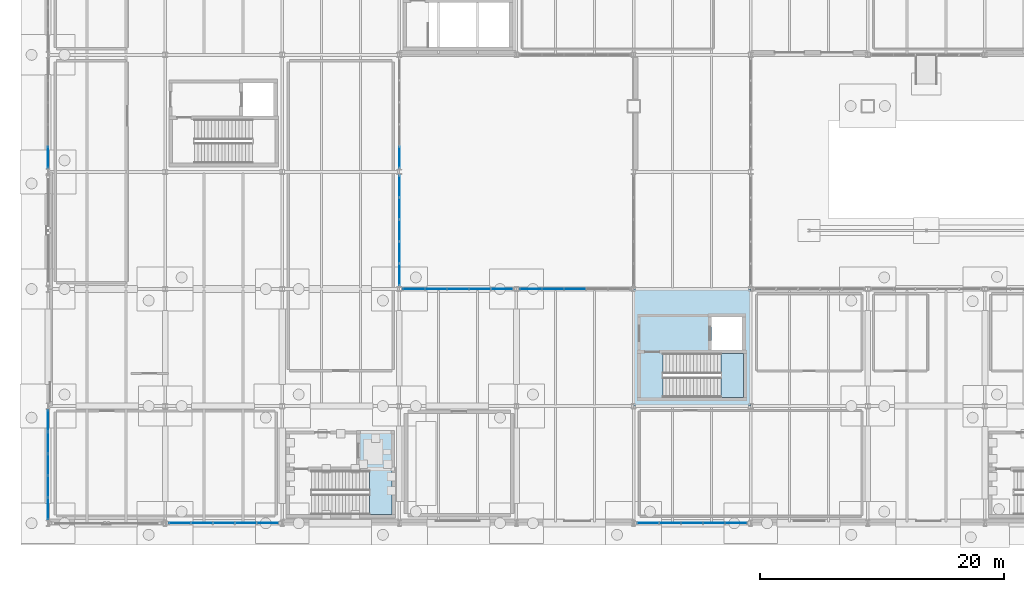
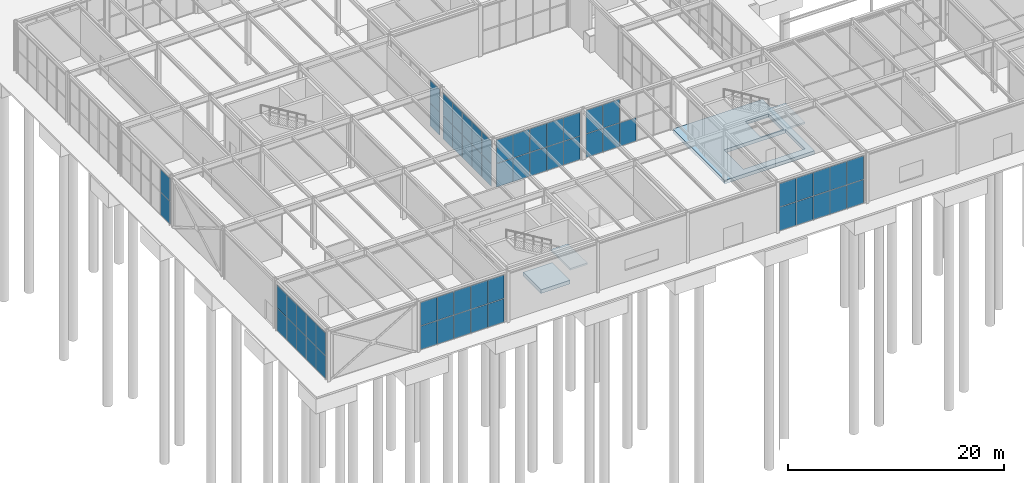
# One storey, part 104 of 142: 59 plates, 4 slabs, 10 elements without a shape of their own.
"""IFC4 building model written with IfcOpenShell, lengths in metres."""

from ifc_helpers import new_model, si_unit, direction, frame, origin, origin_2d, place, context, subcontext, project, spatial, polyline, rectangle, outline, extrude, material, layer, layer_set, type_object, element, aggregate, save


model = new_model("IFC4")

# Units and contexts
model_context = context("Model", 3, precision=1e-05, world=origin(), true_north=direction((0.0, 1.0)))
body_context = subcontext(model_context, "Body", "Model", "MODEL_VIEW")
ifc_project = project(units=[si_unit("LENGTHUNIT", "METRE"), si_unit("AREAUNIT", "SQUARE_METRE"), si_unit("VOLUMEUNIT", "CUBIC_METRE"), si_unit("PLANEANGLEUNIT", "RADIAN"), si_unit("MASSUNIT", "GRAM", prefix="KILO")], contexts=[model_context])

# Site, building, storey
site_placement = place(None, origin())
site = spatial("IfcSite", under=ifc_project, at=site_placement, CompositionType="ELEMENT")
building_placement = place(site_placement, origin())
building = spatial("IfcBuilding", under=site, at=building_placement, Name="Coralgate Yard Interchange", CompositionType="ELEMENT")
storey_placement = place(building_placement, origin())
storey = spatial("IfcBuildingStorey", under=building, at=storey_placement, Name="L00", CompositionType="ELEMENT", Elevation=0.0)

# Curtain wall, plates
ifc_material_1 = material(Name="Anodised coastal aluminium and solar-control low-E glass", Category="aluminium")
curtain_wall_type_1 = type_object("IfcCurtainWallType", Name="CW-CW-L00-B", PredefinedType="NOTDEFINED", material=ifc_material_1)
curtain_wall_1_placement = place(storey_placement, origin())
curtain_wall_1 = element("IfcCurtainWall", 1, at=curtain_wall_1_placement, inside=storey, type_object=curtain_wall_type_1, Name="L00 unitised curtain wall CW-L00-W-00-00", PredefinedType="NOTDEFINED")
ifc_material_2 = material(Name="Solar-control double-glazed low-E glass unit", Category="glass")
ifc_layer_1 = layer(ifc_material_2, 0.0419921875)
ifc_layer_set_1 = layer_set([ifc_layer_1], Name="Solar-control double-glazed low-E glass unit")
plate_type = type_object("IfcPlateType", Name="PLT-CP-42", PredefinedType="CURTAIN_PANEL", material=ifc_layer_set_1)
plate_1_placement = place(storey_placement, frame((0.0, 1.199951171875, 0.02490234375), z_axis=(0.0, 0.0, 1.0), x_axis=(0.0, 1.0, 0.0)))
plate_1 = element("IfcPlate", 2, at=plate_1_placement, type_object=plate_type, Name="CW-L00-W-00-00 solar-control glazing panel 1-1", PredefinedType="CURTAIN_PANEL", context=body_context, shape_type="SweptSolid", body=[
    extrude(rectangle(XDim=1.75, YDim=0.0419921875, at=origin_2d()), origin(), (0.0, 0.0, 1.0), 2.558349609375),
])
plate_2_placement = place(storey_placement, frame((0.0, 1.199951171875, 2.63330078125), z_axis=(0.0, 0.0, 1.0), x_axis=(0.0, 1.0, 0.0)))
plate_2 = element("IfcPlate", 3, at=plate_2_placement, type_object=plate_type, Name="CW-L00-W-00-00 solar-control glazing panel 1-2", PredefinedType="CURTAIN_PANEL", context=body_context, shape_type="SweptSolid", body=[
    extrude(rectangle(XDim=1.75, YDim=0.0419921875, at=origin_2d()), origin(), (0.0, 0.0, 1.0), 2.558349609375),
])
plate_3_placement = place(storey_placement, frame((0.0, 3.0, 0.02490234375), z_axis=(0.0, 0.0, 1.0), x_axis=(0.0, 1.0, 0.0)))
plate_3 = element("IfcPlate", 4, at=plate_3_placement, type_object=plate_type, Name="CW-L00-W-00-00 solar-control glazing panel 2-1", PredefinedType="CURTAIN_PANEL", context=body_context, shape_type="SweptSolid", body=[
    extrude(rectangle(XDim=1.75, YDim=0.0419921875, at=origin_2d()), origin(), (0.0, 0.0, 1.0), 2.558349609375),
])
plate_4_placement = place(storey_placement, frame((0.0, 3.0, 2.63330078125), z_axis=(0.0, 0.0, 1.0), x_axis=(0.0, 1.0, 0.0)))
plate_4 = element("IfcPlate", 5, at=plate_4_placement, type_object=plate_type, Name="CW-L00-W-00-00 solar-control glazing panel 2-2", PredefinedType="CURTAIN_PANEL", context=body_context, shape_type="SweptSolid", body=[
    extrude(rectangle(XDim=1.75, YDim=0.0419921875, at=origin_2d()), origin(), (0.0, 0.0, 1.0), 2.558349609375),
])
plate_5_placement = place(storey_placement, frame((0.0, 4.800048828125, 0.02490234375), z_axis=(0.0, 0.0, 1.0), x_axis=(0.0, 1.0, 0.0)))
plate_5 = element("IfcPlate", 6, at=plate_5_placement, type_object=plate_type, Name="CW-L00-W-00-00 solar-control glazing panel 3-1", PredefinedType="CURTAIN_PANEL", context=body_context, shape_type="SweptSolid", body=[
    extrude(rectangle(XDim=1.75, YDim=0.0419921875, at=origin_2d()), origin(), (0.0, 0.0, 1.0), 2.558349609375),
])
plate_6_placement = place(storey_placement, frame((0.0, 4.800048828125, 2.63330078125), z_axis=(0.0, 0.0, 1.0), x_axis=(0.0, 1.0, 0.0)))
plate_6 = element("IfcPlate", 7, at=plate_6_placement, type_object=plate_type, Name="CW-L00-W-00-00 solar-control glazing panel 3-2", PredefinedType="CURTAIN_PANEL", context=body_context, shape_type="SweptSolid", body=[
    extrude(rectangle(XDim=1.75, YDim=0.0419921875, at=origin_2d()), origin(), (0.0, 0.0, 1.0), 2.558349609375),
])
plate_7_placement = place(storey_placement, frame((0.0, 6.60009765625, 0.02490234375), z_axis=(0.0, 0.0, 1.0), x_axis=(0.0, 1.0, 0.0)))
plate_7 = element("IfcPlate", 8, at=plate_7_placement, type_object=plate_type, Name="CW-L00-W-00-00 solar-control glazing panel 4-1", PredefinedType="CURTAIN_PANEL", context=body_context, shape_type="SweptSolid", body=[
    extrude(rectangle(XDim=1.75, YDim=0.0419921875, at=origin_2d()), origin(), (0.0, 0.0, 1.0), 2.558349609375),
])
plate_8_placement = place(storey_placement, frame((0.0, 6.60009765625, 2.63330078125), z_axis=(0.0, 0.0, 1.0), x_axis=(0.0, 1.0, 0.0)))
plate_8 = element("IfcPlate", 9, at=plate_8_placement, type_object=plate_type, Name="CW-L00-W-00-00 solar-control glazing panel 4-2", PredefinedType="CURTAIN_PANEL", context=body_context, shape_type="SweptSolid", body=[
    extrude(rectangle(XDim=1.75, YDim=0.0419921875, at=origin_2d()), origin(), (0.0, 0.0, 1.0), 2.558349609375),
])
plate_9_placement = place(storey_placement, frame((0.0, 8.39990234375, 0.02490234375), z_axis=(0.0, 0.0, 1.0), x_axis=(0.0, 1.0, 0.0)))
plate_9 = element("IfcPlate", 10, at=plate_9_placement, type_object=plate_type, Name="CW-L00-W-00-00 solar-control glazing panel 5-1", PredefinedType="CURTAIN_PANEL", context=body_context, shape_type="SweptSolid", body=[
    extrude(rectangle(XDim=1.75, YDim=0.0419921875, at=origin_2d()), origin(), (0.0, 0.0, 1.0), 2.558349609375),
])
plate_10_placement = place(storey_placement, frame((0.0, 8.39990234375, 2.63330078125), z_axis=(0.0, 0.0, 1.0), x_axis=(0.0, 1.0, 0.0)))
plate_10 = element("IfcPlate", 11, at=plate_10_placement, type_object=plate_type, Name="CW-L00-W-00-00 solar-control glazing panel 5-2", PredefinedType="CURTAIN_PANEL", context=body_context, shape_type="SweptSolid", body=[
    extrude(rectangle(XDim=1.75, YDim=0.0419921875, at=origin_2d()), origin(), (0.0, 0.0, 1.0), 2.558349609375),
])
aggregate(curtain_wall_1, [plate_1, plate_2, plate_3, plate_4, plate_5, plate_6, plate_7, plate_8, plate_9, plate_10])

curtain_wall_type_2 = type_object("IfcCurtainWallType", Name="CW-CW-L00-A", PredefinedType="NOTDEFINED", material=ifc_material_1)
curtain_wall_2_placement = place(storey_placement, origin())
curtain_wall_2 = element("IfcCurtainWall", 12, at=curtain_wall_2_placement, inside=storey, type_object=curtain_wall_type_2, Name="L00 unitised curtain wall CW-L00-W-00-03", PredefinedType="NOTDEFINED")
plate_11_placement = place(storey_placement, frame((0.0, 30.0, 0.02490234375), z_axis=(0.0, 0.0, 1.0), x_axis=(0.0, 1.0, 0.0)))
plate_11 = element("IfcPlate", 13, at=plate_11_placement, type_object=plate_type, Name="CW-L00-W-00-03 solar-control glazing panel 1-1", PredefinedType="CURTAIN_PANEL", context=body_context, shape_type="SweptSolid", body=[
    extrude(rectangle(XDim=1.75, YDim=0.0419921875, at=origin_2d()), origin(), (0.0, 0.0, 1.0), 2.558349609375),
])
plate_12_placement = place(storey_placement, frame((0.0, 30.0, 2.63330078125), z_axis=(0.0, 0.0, 1.0), x_axis=(0.0, 1.0, 0.0)))
plate_12 = element("IfcPlate", 14, at=plate_12_placement, type_object=plate_type, Name="CW-L00-W-00-03 solar-control glazing panel 1-2", PredefinedType="CURTAIN_PANEL", context=body_context, shape_type="SweptSolid", body=[
    extrude(rectangle(XDim=1.75, YDim=0.0419921875, at=origin_2d()), origin(), (0.0, 0.0, 1.0), 2.558349609375),
])
aggregate(curtain_wall_2, [plate_11, plate_12])

curtain_wall_3_placement = place(storey_placement, origin())
curtain_wall_3 = element("IfcCurtainWall", 15, at=curtain_wall_3_placement, inside=storey, type_object=curtain_wall_type_2, Name="L00 unitised curtain wall CW-L00-S-01-00", PredefinedType="NOTDEFINED")
plate_13_placement = place(storey_placement, frame((18.0, 0.0, 0.025146484375), z_axis=(0.0, 0.0, 1.0), x_axis=(-1.0, 0.0, 0.0)))
plate_13 = element("IfcPlate", 16, at=plate_13_placement, type_object=plate_type, Name="CW-L00-S-01-00 solar-control glazing panel 1-1", PredefinedType="CURTAIN_PANEL", context=body_context, shape_type="SweptSolid", body=[
    extrude(rectangle(XDim=1.75, YDim=0.0419921875, at=origin_2d()), origin(), (0.0, 0.0, 1.0), 2.64990234375),
])
plate_14_placement = place(storey_placement, frame((18.0, 0.0, 2.72509765625), z_axis=(0.0, 0.0, 1.0), x_axis=(-1.0, 0.0, 0.0)))
plate_14 = element("IfcPlate", 17, at=plate_14_placement, type_object=plate_type, Name="CW-L00-S-01-00 solar-control glazing panel 1-2", PredefinedType="CURTAIN_PANEL", context=body_context, shape_type="SweptSolid", body=[
    extrude(rectangle(XDim=1.75, YDim=0.0419921875, at=origin_2d()), origin(), (0.0, 0.0, 1.0), 2.64990234375),
])
plate_15_placement = place(storey_placement, frame((16.199951171875, 0.0, 0.025146484375), z_axis=(0.0, 0.0, 1.0), x_axis=(-1.0, 0.0, 0.0)))
plate_15 = element("IfcPlate", 18, at=plate_15_placement, type_object=plate_type, Name="CW-L00-S-01-00 solar-control glazing panel 2-1", PredefinedType="CURTAIN_PANEL", context=body_context, shape_type="SweptSolid", body=[
    extrude(rectangle(XDim=1.75, YDim=0.0419921875, at=origin_2d()), origin(), (0.0, 0.0, 1.0), 2.64990234375),
])
plate_16_placement = place(storey_placement, frame((16.199951171875, 0.0, 2.72509765625), z_axis=(0.0, 0.0, 1.0), x_axis=(-1.0, 0.0, 0.0)))
plate_16 = element("IfcPlate", 19, at=plate_16_placement, type_object=plate_type, Name="CW-L00-S-01-00 solar-control glazing panel 2-2", PredefinedType="CURTAIN_PANEL", context=body_context, shape_type="SweptSolid", body=[
    extrude(rectangle(XDim=1.75, YDim=0.0419921875, at=origin_2d()), origin(), (0.0, 0.0, 1.0), 2.64990234375),
])
plate_17_placement = place(storey_placement, frame((14.39990234375, 0.0, 0.025146484375), z_axis=(0.0, 0.0, 1.0), x_axis=(-1.0, 0.0, 0.0)))
plate_17 = element("IfcPlate", 20, at=plate_17_placement, type_object=plate_type, Name="CW-L00-S-01-00 solar-control glazing panel 3-1", PredefinedType="CURTAIN_PANEL", context=body_context, shape_type="SweptSolid", body=[
    extrude(rectangle(XDim=1.75, YDim=0.0419921875, at=origin_2d()), origin(), (0.0, 0.0, 1.0), 2.64990234375),
])
plate_18_placement = place(storey_placement, frame((14.39990234375, 0.0, 2.72509765625), z_axis=(0.0, 0.0, 1.0), x_axis=(-1.0, 0.0, 0.0)))
plate_18 = element("IfcPlate", 21, at=plate_18_placement, type_object=plate_type, Name="CW-L00-S-01-00 solar-control glazing panel 3-2", PredefinedType="CURTAIN_PANEL", context=body_context, shape_type="SweptSolid", body=[
    extrude(rectangle(XDim=1.75, YDim=0.0419921875, at=origin_2d()), origin(), (0.0, 0.0, 1.0), 2.64990234375),
])
plate_19_placement = place(storey_placement, frame((12.60009765625, 0.0, 0.025146484375), z_axis=(0.0, 0.0, 1.0), x_axis=(-1.0, 0.0, 0.0)))
plate_19 = element("IfcPlate", 22, at=plate_19_placement, type_object=plate_type, Name="CW-L00-S-01-00 solar-control glazing panel 4-1", PredefinedType="CURTAIN_PANEL", context=body_context, shape_type="SweptSolid", body=[
    extrude(rectangle(XDim=1.75, YDim=0.0419921875, at=origin_2d()), origin(), (0.0, 0.0, 1.0), 2.64990234375),
])
plate_20_placement = place(storey_placement, frame((12.60009765625, 0.0, 2.72509765625), z_axis=(0.0, 0.0, 1.0), x_axis=(-1.0, 0.0, 0.0)))
plate_20 = element("IfcPlate", 23, at=plate_20_placement, type_object=plate_type, Name="CW-L00-S-01-00 solar-control glazing panel 4-2", PredefinedType="CURTAIN_PANEL", context=body_context, shape_type="SweptSolid", body=[
    extrude(rectangle(XDim=1.75, YDim=0.0419921875, at=origin_2d()), origin(), (0.0, 0.0, 1.0), 2.64990234375),
])
plate_21_placement = place(storey_placement, frame((10.800048828125, 0.0, 0.025146484375), z_axis=(0.0, 0.0, 1.0), x_axis=(-1.0, 0.0, 0.0)))
plate_21 = element("IfcPlate", 24, at=plate_21_placement, type_object=plate_type, Name="CW-L00-S-01-00 solar-control glazing panel 5-1", PredefinedType="CURTAIN_PANEL", context=body_context, shape_type="SweptSolid", body=[
    extrude(rectangle(XDim=1.75, YDim=0.0419921875, at=origin_2d()), origin(), (0.0, 0.0, 1.0), 2.64990234375),
])
plate_22_placement = place(storey_placement, frame((10.800048828125, 0.0, 2.72509765625), z_axis=(0.0, 0.0, 1.0), x_axis=(-1.0, 0.0, 0.0)))
plate_22 = element("IfcPlate", 25, at=plate_22_placement, type_object=plate_type, Name="CW-L00-S-01-00 solar-control glazing panel 5-2", PredefinedType="CURTAIN_PANEL", context=body_context, shape_type="SweptSolid", body=[
    extrude(rectangle(XDim=1.75, YDim=0.0419921875, at=origin_2d()), origin(), (0.0, 0.0, 1.0), 2.64990234375),
])
aggregate(curtain_wall_3, [plate_13, plate_14, plate_15, plate_16, plate_17, plate_18, plate_19, plate_20, plate_21, plate_22])

curtain_wall_4_placement = place(storey_placement, origin())
curtain_wall_4 = element("IfcCurtainWall", 26, at=curtain_wall_4_placement, inside=storey, type_object=curtain_wall_type_1, Name="L00 unitised curtain wall CW-L00-E-02-02", PredefinedType="NOTDEFINED")
plate_23_placement = place(storey_placement, frame((28.800048828125, 27.60009765625, 0.02490234375), z_axis=(0.0, 0.0, 1.0), x_axis=(0.0, -1.0, 0.0)))
plate_23 = element("IfcPlate", 27, at=plate_23_placement, type_object=plate_type, Name="CW-L00-E-02-02 solar-control glazing panel 1-1", PredefinedType="CURTAIN_PANEL", context=body_context, shape_type="SweptSolid", body=[
    extrude(rectangle(XDim=1.75, YDim=0.0419921875, at=origin_2d()), origin(), (0.0, 0.0, 1.0), 2.558349609375),
])
plate_24_placement = place(storey_placement, frame((28.800048828125, 27.60009765625, 2.63330078125), z_axis=(0.0, 0.0, 1.0), x_axis=(0.0, -1.0, 0.0)))
plate_24 = element("IfcPlate", 28, at=plate_24_placement, type_object=plate_type, Name="CW-L00-E-02-02 solar-control glazing panel 1-2", PredefinedType="CURTAIN_PANEL", context=body_context, shape_type="SweptSolid", body=[
    extrude(rectangle(XDim=1.75, YDim=0.0419921875, at=origin_2d()), origin(), (0.0, 0.0, 1.0), 2.558349609375),
])
plate_25_placement = place(storey_placement, frame((28.800048828125, 25.800048828125, 0.02490234375), z_axis=(0.0, 0.0, 1.0), x_axis=(0.0, -1.0, 0.0)))
plate_25 = element("IfcPlate", 29, at=plate_25_placement, type_object=plate_type, Name="CW-L00-E-02-02 solar-control glazing panel 2-1", PredefinedType="CURTAIN_PANEL", context=body_context, shape_type="SweptSolid", body=[
    extrude(rectangle(XDim=1.75, YDim=0.0419921875, at=origin_2d()), origin(), (0.0, 0.0, 1.0), 2.558349609375),
])
plate_26_placement = place(storey_placement, frame((28.800048828125, 25.800048828125, 2.63330078125), z_axis=(0.0, 0.0, 1.0), x_axis=(0.0, -1.0, 0.0)))
plate_26 = element("IfcPlate", 30, at=plate_26_placement, type_object=plate_type, Name="CW-L00-E-02-02 solar-control glazing panel 2-2", PredefinedType="CURTAIN_PANEL", context=body_context, shape_type="SweptSolid", body=[
    extrude(rectangle(XDim=1.75, YDim=0.0419921875, at=origin_2d()), origin(), (0.0, 0.0, 1.0), 2.558349609375),
])
plate_27_placement = place(storey_placement, frame((28.800048828125, 24.0, 0.02490234375), z_axis=(0.0, 0.0, 1.0), x_axis=(0.0, -1.0, 0.0)))
plate_27 = element("IfcPlate", 31, at=plate_27_placement, type_object=plate_type, Name="CW-L00-E-02-02 solar-control glazing panel 3-1", PredefinedType="CURTAIN_PANEL", context=body_context, shape_type="SweptSolid", body=[
    extrude(rectangle(XDim=1.75, YDim=0.0419921875, at=origin_2d()), origin(), (0.0, 0.0, 1.0), 2.558349609375),
])
plate_28_placement = place(storey_placement, frame((28.800048828125, 24.0, 2.63330078125), z_axis=(0.0, 0.0, 1.0), x_axis=(0.0, -1.0, 0.0)))
plate_28 = element("IfcPlate", 32, at=plate_28_placement, type_object=plate_type, Name="CW-L00-E-02-02 solar-control glazing panel 3-2", PredefinedType="CURTAIN_PANEL", context=body_context, shape_type="SweptSolid", body=[
    extrude(rectangle(XDim=1.75, YDim=0.0419921875, at=origin_2d()), origin(), (0.0, 0.0, 1.0), 2.558349609375),
])
plate_29_placement = place(storey_placement, frame((28.800048828125, 22.199951171875, 0.02490234375), z_axis=(0.0, 0.0, 1.0), x_axis=(0.0, -1.0, 0.0)))
plate_29 = element("IfcPlate", 33, at=plate_29_placement, type_object=plate_type, Name="CW-L00-E-02-02 solar-control glazing panel 4-1", PredefinedType="CURTAIN_PANEL", context=body_context, shape_type="SweptSolid", body=[
    extrude(rectangle(XDim=1.75, YDim=0.0419921875, at=origin_2d()), origin(), (0.0, 0.0, 1.0), 2.558349609375),
])
plate_30_placement = place(storey_placement, frame((28.800048828125, 22.199951171875, 2.63330078125), z_axis=(0.0, 0.0, 1.0), x_axis=(0.0, -1.0, 0.0)))
plate_30 = element("IfcPlate", 34, at=plate_30_placement, type_object=plate_type, Name="CW-L00-E-02-02 solar-control glazing panel 4-2", PredefinedType="CURTAIN_PANEL", context=body_context, shape_type="SweptSolid", body=[
    extrude(rectangle(XDim=1.75, YDim=0.0419921875, at=origin_2d()), origin(), (0.0, 0.0, 1.0), 2.558349609375),
])
plate_31_placement = place(storey_placement, frame((28.800048828125, 20.39990234375, 0.02490234375), z_axis=(0.0, 0.0, 1.0), x_axis=(0.0, -1.0, 0.0)))
plate_31 = element("IfcPlate", 35, at=plate_31_placement, type_object=plate_type, Name="CW-L00-E-02-02 solar-control glazing panel 5-1", PredefinedType="CURTAIN_PANEL", context=body_context, shape_type="SweptSolid", body=[
    extrude(rectangle(XDim=1.75, YDim=0.0419921875, at=origin_2d()), origin(), (0.0, 0.0, 1.0), 2.558349609375),
])
plate_32_placement = place(storey_placement, frame((28.800048828125, 20.39990234375, 2.63330078125), z_axis=(0.0, 0.0, 1.0), x_axis=(0.0, -1.0, 0.0)))
plate_32 = element("IfcPlate", 36, at=plate_32_placement, type_object=plate_type, Name="CW-L00-E-02-02 solar-control glazing panel 5-2", PredefinedType="CURTAIN_PANEL", context=body_context, shape_type="SweptSolid", body=[
    extrude(rectangle(XDim=1.75, YDim=0.0419921875, at=origin_2d()), origin(), (0.0, 0.0, 1.0), 2.558349609375),
])
aggregate(curtain_wall_4, [plate_23, plate_24, plate_25, plate_26, plate_27, plate_28, plate_29, plate_30, plate_31, plate_32])

curtain_wall_5_placement = place(storey_placement, origin())
curtain_wall_5 = element("IfcCurtainWall", 37, at=curtain_wall_5_placement, inside=storey, type_object=curtain_wall_type_2, Name="L00 unitised curtain wall CW-L00-E-02-03", PredefinedType="NOTDEFINED")
plate_33_placement = place(storey_placement, frame((28.800048828125, 30.0, 0.02490234375), z_axis=(0.0, 0.0, 1.0), x_axis=(0.0, -1.0, 0.0)))
plate_33 = element("IfcPlate", 38, at=plate_33_placement, type_object=plate_type, Name="CW-L00-E-02-03 solar-control glazing panel 5-1", PredefinedType="CURTAIN_PANEL", context=body_context, shape_type="SweptSolid", body=[
    extrude(rectangle(XDim=1.75, YDim=0.0419921875, at=origin_2d()), origin(), (0.0, 0.0, 1.0), 2.558349609375),
])
plate_34_placement = place(storey_placement, frame((28.800048828125, 30.0, 2.63330078125), z_axis=(0.0, 0.0, 1.0), x_axis=(0.0, -1.0, 0.0)))
plate_34 = element("IfcPlate", 39, at=plate_34_placement, type_object=plate_type, Name="CW-L00-E-02-03 solar-control glazing panel 5-2", PredefinedType="CURTAIN_PANEL", context=body_context, shape_type="SweptSolid", body=[
    extrude(rectangle(XDim=1.75, YDim=0.0419921875, at=origin_2d()), origin(), (0.0, 0.0, 1.0), 2.558349609375),
])
aggregate(curtain_wall_5, [plate_33, plate_34])

curtain_wall_6_placement = place(storey_placement, origin())
curtain_wall_6 = element("IfcCurtainWall", 40, at=curtain_wall_6_placement, inside=storey, type_object=curtain_wall_type_1, Name="L00 unitised curtain wall CW-L00-N-03-01", PredefinedType="NOTDEFINED")
plate_35_placement = place(storey_placement, frame((30.0, 19.199951171875, 0.025146484375), z_axis=(0.0, 0.0, 1.0), x_axis=(1.0, 0.0, 0.0)))
plate_35 = element("IfcPlate", 41, at=plate_35_placement, type_object=plate_type, Name="CW-L00-N-03-01 solar-control glazing panel 1-1", PredefinedType="CURTAIN_PANEL", context=body_context, shape_type="SweptSolid", body=[
    extrude(rectangle(XDim=1.75, YDim=0.0419921875, at=origin_2d()), origin(), (0.0, 0.0, 1.0), 2.64990234375),
])
plate_36_placement = place(storey_placement, frame((30.0, 19.199951171875, 2.72509765625), z_axis=(0.0, 0.0, 1.0), x_axis=(1.0, 0.0, 0.0)))
plate_36 = element("IfcPlate", 42, at=plate_36_placement, type_object=plate_type, Name="CW-L00-N-03-01 solar-control glazing panel 1-2", PredefinedType="CURTAIN_PANEL", context=body_context, shape_type="SweptSolid", body=[
    extrude(rectangle(XDim=1.75, YDim=0.0419921875, at=origin_2d()), origin(), (0.0, 0.0, 1.0), 2.64990234375),
])
plate_37_placement = place(storey_placement, frame((31.800048828125, 19.199951171875, 0.025146484375), z_axis=(0.0, 0.0, 1.0), x_axis=(1.0, 0.0, 0.0)))
plate_37 = element("IfcPlate", 43, at=plate_37_placement, type_object=plate_type, Name="CW-L00-N-03-01 solar-control glazing panel 2-1", PredefinedType="CURTAIN_PANEL", context=body_context, shape_type="SweptSolid", body=[
    extrude(rectangle(XDim=1.75, YDim=0.0419921875, at=origin_2d()), origin(), (0.0, 0.0, 1.0), 2.64990234375),
])
plate_38_placement = place(storey_placement, frame((31.800048828125, 19.199951171875, 2.72509765625), z_axis=(0.0, 0.0, 1.0), x_axis=(1.0, 0.0, 0.0)))
plate_38 = element("IfcPlate", 44, at=plate_38_placement, type_object=plate_type, Name="CW-L00-N-03-01 solar-control glazing panel 2-2", PredefinedType="CURTAIN_PANEL", context=body_context, shape_type="SweptSolid", body=[
    extrude(rectangle(XDim=1.75, YDim=0.0419921875, at=origin_2d()), origin(), (0.0, 0.0, 1.0), 2.64990234375),
])
plate_39_placement = place(storey_placement, frame((33.60009765625, 19.199951171875, 0.025146484375), z_axis=(0.0, 0.0, 1.0), x_axis=(1.0, 0.0, 0.0)))
plate_39 = element("IfcPlate", 45, at=plate_39_placement, type_object=plate_type, Name="CW-L00-N-03-01 solar-control glazing panel 3-1", PredefinedType="CURTAIN_PANEL", context=body_context, shape_type="SweptSolid", body=[
    extrude(rectangle(XDim=1.75, YDim=0.0419921875, at=origin_2d()), origin(), (0.0, 0.0, 1.0), 2.64990234375),
])
plate_40_placement = place(storey_placement, frame((33.60009765625, 19.199951171875, 2.72509765625), z_axis=(0.0, 0.0, 1.0), x_axis=(1.0, 0.0, 0.0)))
plate_40 = element("IfcPlate", 46, at=plate_40_placement, type_object=plate_type, Name="CW-L00-N-03-01 solar-control glazing panel 3-2", PredefinedType="CURTAIN_PANEL", context=body_context, shape_type="SweptSolid", body=[
    extrude(rectangle(XDim=1.75, YDim=0.0419921875, at=origin_2d()), origin(), (0.0, 0.0, 1.0), 2.64990234375),
])
plate_41_placement = place(storey_placement, frame((35.39990234375, 19.199951171875, 0.025146484375), z_axis=(0.0, 0.0, 1.0), x_axis=(1.0, 0.0, 0.0)))
plate_41 = element("IfcPlate", 47, at=plate_41_placement, type_object=plate_type, Name="CW-L00-N-03-01 solar-control glazing panel 4-1", PredefinedType="CURTAIN_PANEL", context=body_context, shape_type="SweptSolid", body=[
    extrude(rectangle(XDim=1.75, YDim=0.0419921875, at=origin_2d()), origin(), (0.0, 0.0, 1.0), 2.64990234375),
])
plate_42_placement = place(storey_placement, frame((35.39990234375, 19.199951171875, 2.72509765625), z_axis=(0.0, 0.0, 1.0), x_axis=(1.0, 0.0, 0.0)))
plate_42 = element("IfcPlate", 48, at=plate_42_placement, type_object=plate_type, Name="CW-L00-N-03-01 solar-control glazing panel 4-2", PredefinedType="CURTAIN_PANEL", context=body_context, shape_type="SweptSolid", body=[
    extrude(rectangle(XDim=1.75, YDim=0.0419921875, at=origin_2d()), origin(), (0.0, 0.0, 1.0), 2.64990234375),
])
plate_43_placement = place(storey_placement, frame((37.199951171875, 19.199951171875, 0.025146484375), z_axis=(0.0, 0.0, 1.0), x_axis=(1.0, 0.0, 0.0)))
plate_43 = element("IfcPlate", 49, at=plate_43_placement, type_object=plate_type, Name="CW-L00-N-03-01 solar-control glazing panel 5-1", PredefinedType="CURTAIN_PANEL", context=body_context, shape_type="SweptSolid", body=[
    extrude(rectangle(XDim=1.75, YDim=0.0419921875, at=origin_2d()), origin(), (0.0, 0.0, 1.0), 2.64990234375),
])
plate_44_placement = place(storey_placement, frame((37.199951171875, 19.199951171875, 2.72509765625), z_axis=(0.0, 0.0, 1.0), x_axis=(1.0, 0.0, 0.0)))
plate_44 = element("IfcPlate", 50, at=plate_44_placement, type_object=plate_type, Name="CW-L00-N-03-01 solar-control glazing panel 5-2", PredefinedType="CURTAIN_PANEL", context=body_context, shape_type="SweptSolid", body=[
    extrude(rectangle(XDim=1.75, YDim=0.0419921875, at=origin_2d()), origin(), (0.0, 0.0, 1.0), 2.64990234375),
])
aggregate(curtain_wall_6, [plate_35, plate_36, plate_37, plate_38, plate_39, plate_40, plate_41, plate_42, plate_43, plate_44])

curtain_wall_7_placement = place(storey_placement, origin())
curtain_wall_7 = element("IfcCurtainWall", 51, at=curtain_wall_7_placement, inside=storey, type_object=curtain_wall_type_1, Name="L00 unitised curtain wall CW-L00-N-04-01", PredefinedType="NOTDEFINED")
plate_45_placement = place(storey_placement, frame((39.60009765625, 19.199951171875, 0.025146484375), z_axis=(0.0, 0.0, 1.0), x_axis=(1.0, 0.0, 0.0)))
plate_45 = element("IfcPlate", 52, at=plate_45_placement, type_object=plate_type, Name="CW-L00-N-04-01 solar-control glazing panel 1-1", PredefinedType="CURTAIN_PANEL", context=body_context, shape_type="SweptSolid", body=[
    extrude(rectangle(XDim=1.75, YDim=0.0419921875, at=origin_2d()), origin(), (0.0, 0.0, 1.0), 2.64990234375),
])
plate_46_placement = place(storey_placement, frame((39.60009765625, 19.199951171875, 2.72509765625), z_axis=(0.0, 0.0, 1.0), x_axis=(1.0, 0.0, 0.0)))
plate_46 = element("IfcPlate", 53, at=plate_46_placement, type_object=plate_type, Name="CW-L00-N-04-01 solar-control glazing panel 1-2", PredefinedType="CURTAIN_PANEL", context=body_context, shape_type="SweptSolid", body=[
    extrude(rectangle(XDim=1.75, YDim=0.0419921875, at=origin_2d()), origin(), (0.0, 0.0, 1.0), 2.64990234375),
])
plate_47_placement = place(storey_placement, frame((41.39990234375, 19.199951171875, 0.025146484375), z_axis=(0.0, 0.0, 1.0), x_axis=(1.0, 0.0, 0.0)))
plate_47 = element("IfcPlate", 54, at=plate_47_placement, type_object=plate_type, Name="CW-L00-N-04-01 solar-control glazing panel 2-1", PredefinedType="CURTAIN_PANEL", context=body_context, shape_type="SweptSolid", body=[
    extrude(rectangle(XDim=1.75, YDim=0.0419921875, at=origin_2d()), origin(), (0.0, 0.0, 1.0), 2.64990234375),
])
plate_48_placement = place(storey_placement, frame((41.39990234375, 19.199951171875, 2.72509765625), z_axis=(0.0, 0.0, 1.0), x_axis=(1.0, 0.0, 0.0)))
plate_48 = element("IfcPlate", 55, at=plate_48_placement, type_object=plate_type, Name="CW-L00-N-04-01 solar-control glazing panel 2-2", PredefinedType="CURTAIN_PANEL", context=body_context, shape_type="SweptSolid", body=[
    extrude(rectangle(XDim=1.75, YDim=0.0419921875, at=origin_2d()), origin(), (0.0, 0.0, 1.0), 2.64990234375),
])
plate_49_placement = place(storey_placement, frame((43.199951171875, 19.199951171875, 0.025146484375), z_axis=(0.0, 0.0, 1.0), x_axis=(1.0, 0.0, 0.0)))
plate_49 = element("IfcPlate", 56, at=plate_49_placement, type_object=plate_type, Name="CW-L00-N-04-01 solar-control glazing panel 3-1", PredefinedType="CURTAIN_PANEL", context=body_context, shape_type="SweptSolid", body=[
    extrude(rectangle(XDim=1.75, YDim=0.0419921875, at=origin_2d()), origin(), (0.0, 0.0, 1.0), 2.64990234375),
])
aggregate(curtain_wall_7, [plate_45, plate_46, plate_47, plate_48, plate_49])

curtain_wall_8_placement = place(storey_placement, origin())
curtain_wall_8 = element("IfcCurtainWall", 57, at=curtain_wall_8_placement, inside=storey, type_object=curtain_wall_type_2, Name="L00 unitised curtain wall CW-L00-S-05-00", PredefinedType="NOTDEFINED")
plate_50_placement = place(storey_placement, frame((56.39990234375, 0.0, 0.025146484375), z_axis=(0.0, 0.0, 1.0), x_axis=(-1.0, 0.0, 0.0)))
plate_50 = element("IfcPlate", 58, at=plate_50_placement, type_object=plate_type, Name="CW-L00-S-05-00 solar-control glazing panel 1-1", PredefinedType="CURTAIN_PANEL", context=body_context, shape_type="SweptSolid", body=[
    extrude(rectangle(XDim=1.75, YDim=0.0419921875, at=origin_2d()), origin(), (0.0, 0.0, 1.0), 2.64990234375),
])
plate_51_placement = place(storey_placement, frame((56.39990234375, 0.0, 2.72509765625), z_axis=(0.0, 0.0, 1.0), x_axis=(-1.0, 0.0, 0.0)))
plate_51 = element("IfcPlate", 59, at=plate_51_placement, type_object=plate_type, Name="CW-L00-S-05-00 solar-control glazing panel 1-2", PredefinedType="CURTAIN_PANEL", context=body_context, shape_type="SweptSolid", body=[
    extrude(rectangle(XDim=1.75, YDim=0.0419921875, at=origin_2d()), origin(), (0.0, 0.0, 1.0), 2.64990234375),
])
plate_52_placement = place(storey_placement, frame((54.60009765625, 0.0, 0.025146484375), z_axis=(0.0, 0.0, 1.0), x_axis=(-1.0, 0.0, 0.0)))
plate_52 = element("IfcPlate", 60, at=plate_52_placement, type_object=plate_type, Name="CW-L00-S-05-00 solar-control glazing panel 2-1", PredefinedType="CURTAIN_PANEL", context=body_context, shape_type="SweptSolid", body=[
    extrude(rectangle(XDim=1.75, YDim=0.0419921875, at=origin_2d()), origin(), (0.0, 0.0, 1.0), 2.64990234375),
])
plate_53_placement = place(storey_placement, frame((54.60009765625, 0.0, 2.72509765625), z_axis=(0.0, 0.0, 1.0), x_axis=(-1.0, 0.0, 0.0)))
plate_53 = element("IfcPlate", 61, at=plate_53_placement, type_object=plate_type, Name="CW-L00-S-05-00 solar-control glazing panel 2-2", PredefinedType="CURTAIN_PANEL", context=body_context, shape_type="SweptSolid", body=[
    extrude(rectangle(XDim=1.75, YDim=0.0419921875, at=origin_2d()), origin(), (0.0, 0.0, 1.0), 2.64990234375),
])
plate_54_placement = place(storey_placement, frame((52.800048828125, 0.0, 0.025146484375), z_axis=(0.0, 0.0, 1.0), x_axis=(-1.0, 0.0, 0.0)))
plate_54 = element("IfcPlate", 62, at=plate_54_placement, type_object=plate_type, Name="CW-L00-S-05-00 solar-control glazing panel 3-1", PredefinedType="CURTAIN_PANEL", context=body_context, shape_type="SweptSolid", body=[
    extrude(rectangle(XDim=1.75, YDim=0.0419921875, at=origin_2d()), origin(), (0.0, 0.0, 1.0), 2.64990234375),
])
plate_55_placement = place(storey_placement, frame((52.800048828125, 0.0, 2.72509765625), z_axis=(0.0, 0.0, 1.0), x_axis=(-1.0, 0.0, 0.0)))
plate_55 = element("IfcPlate", 63, at=plate_55_placement, type_object=plate_type, Name="CW-L00-S-05-00 solar-control glazing panel 3-2", PredefinedType="CURTAIN_PANEL", context=body_context, shape_type="SweptSolid", body=[
    extrude(rectangle(XDim=1.75, YDim=0.0419921875, at=origin_2d()), origin(), (0.0, 0.0, 1.0), 2.64990234375),
])
plate_56_placement = place(storey_placement, frame((51.0, 0.0, 0.025146484375), z_axis=(0.0, 0.0, 1.0), x_axis=(-1.0, 0.0, 0.0)))
plate_56 = element("IfcPlate", 64, at=plate_56_placement, type_object=plate_type, Name="CW-L00-S-05-00 solar-control glazing panel 4-1", PredefinedType="CURTAIN_PANEL", context=body_context, shape_type="SweptSolid", body=[
    extrude(rectangle(XDim=1.75, YDim=0.0419921875, at=origin_2d()), origin(), (0.0, 0.0, 1.0), 2.64990234375),
])
plate_57_placement = place(storey_placement, frame((51.0, 0.0, 2.72509765625), z_axis=(0.0, 0.0, 1.0), x_axis=(-1.0, 0.0, 0.0)))
plate_57 = element("IfcPlate", 65, at=plate_57_placement, type_object=plate_type, Name="CW-L00-S-05-00 solar-control glazing panel 4-2", PredefinedType="CURTAIN_PANEL", context=body_context, shape_type="SweptSolid", body=[
    extrude(rectangle(XDim=1.75, YDim=0.0419921875, at=origin_2d()), origin(), (0.0, 0.0, 1.0), 2.64990234375),
])
plate_58_placement = place(storey_placement, frame((49.199951171875, 0.0, 0.025146484375), z_axis=(0.0, 0.0, 1.0), x_axis=(-1.0, 0.0, 0.0)))
plate_58 = element("IfcPlate", 66, at=plate_58_placement, type_object=plate_type, Name="CW-L00-S-05-00 solar-control glazing panel 5-1", PredefinedType="CURTAIN_PANEL", context=body_context, shape_type="SweptSolid", body=[
    extrude(rectangle(XDim=1.75, YDim=0.0419921875, at=origin_2d()), origin(), (0.0, 0.0, 1.0), 2.64990234375),
])
plate_59_placement = place(storey_placement, frame((49.199951171875, 0.0, 2.72509765625), z_axis=(0.0, 0.0, 1.0), x_axis=(-1.0, 0.0, 0.0)))
plate_59 = element("IfcPlate", 67, at=plate_59_placement, type_object=plate_type, Name="CW-L00-S-05-00 solar-control glazing panel 5-2", PredefinedType="CURTAIN_PANEL", context=body_context, shape_type="SweptSolid", body=[
    extrude(rectangle(XDim=1.75, YDim=0.0419921875, at=origin_2d()), origin(), (0.0, 0.0, 1.0), 2.64990234375),
])
aggregate(curtain_wall_8, [plate_50, plate_51, plate_52, plate_53, plate_54, plate_55, plate_56, plate_57, plate_58, plate_59])

# Stair, slab
ifc_material_3 = material(Name="Concrete C40/50", Category="concrete")
stair_type = type_object("IfcStairType", Name="STR-DL-165-60", PredefinedType="HALF_TURN_STAIR", material=ifc_material_3)
stair_1_placement = place(storey_placement, origin())
stair_1 = element("IfcStair", 68, at=stair_1_placement, inside=storey, type_object=stair_type, Name="L00 Escape stair ST-02", PredefinedType="HALF_TURN_STAIR")
ifc_layer_2 = layer(ifc_material_3, 0.199951171875)
ifc_layer_set_2 = layer_set([ifc_layer_2], Name="Concrete C40/50")
slab_type_1 = type_object("IfcSlabType", Name="SLB-LND200", PredefinedType="LANDING", material=ifc_layer_set_2)
slab_1_placement = place(storey_placement, frame((0.0, 0.0, 2.800048828125)))
slab_1 = element("IfcSlab", 69, at=slab_1_placement, type_object=slab_type_1, Name="ST-02 landing 1", PredefinedType="LANDING", context=body_context, shape_type="SweptSolid", body=[
    extrude(outline(polyline([(55.159912109375, 10.320068359375), (57.0, 10.320068359375), (57.0, 13.909912109375), (55.159912109375, 13.909912109375), (55.159912109375, 10.320068359375)])), origin(), (0.0, 0.0, 1.0), 0.199951171875),
])
aggregate(stair_1, [slab_1])

stair_2_placement = place(storey_placement, origin())
stair_2 = element("IfcStair", 70, at=stair_2_placement, inside=storey, type_object=stair_type, Name="L00 Escape stair ST-03", PredefinedType="HALF_TURN_STAIR")
slab_2_placement = place(storey_placement, frame((0.0, 0.0, 2.800048828125)))
slab_2 = element("IfcSlab", 71, at=slab_2_placement, type_object=slab_type_1, Name="ST-03 landing 1", PredefinedType="LANDING", context=body_context, shape_type="SweptSolid", body=[
    extrude(outline(polyline([(26.360107421875, 0.719970703125), (28.199951171875, 0.719970703125), (28.199951171875, 4.31005859375), (26.360107421875, 4.31005859375), (26.360107421875, 0.719970703125)])), origin(), (0.0, 0.0, 1.0), 0.199951171875),
])
aggregate(stair_2, [slab_2])

# Slabs
ifc_layer_3 = layer(ifc_material_3, 0.419921875)
ifc_layer_set_3 = layer_set([ifc_layer_3], Name="Concrete C40/50")
slab_type_2 = type_object("IfcSlabType", Name="SLB-PIT300", PredefinedType="BASESLAB", material=ifc_layer_set_3)
slab_3_placement = place(storey_placement, frame((0.0, 0.0, -1.6201171875)))
element("IfcSlab", 72, at=slab_3_placement, inside=storey, type_object=slab_type_2, Name="LF-01 concrete lift pit base", PredefinedType="BASESLAB", context=body_context, shape_type="SweptSolid", body=[
    extrude(outline(polyline([(25.300048828125, 4.300048828125), (28.39990234375, 4.300048828125), (28.39990234375, 7.60009765625), (25.300048828125, 7.60009765625), (25.300048828125, 4.300048828125)])), origin(), (0.0, 0.0, 1.0), 0.420166015625),
])
ifc_layer_4 = layer(ifc_material_3, 0.39990234375)
ifc_layer_set_4 = layer_set([ifc_layer_4], Name="Concrete C40/50")
slab_type_3 = type_object("IfcSlabType", Name="SLB-SL-GND400", PredefinedType="FLOOR", material=ifc_layer_set_4)
slab_4_placement = place(storey_placement, frame((0.0, 0.0, -0.39990234375)))
element("IfcSlab", 73, at=slab_4_placement, inside=storey, type_object=slab_type_3, Name="L00 core C2 structural floor slab", PredefinedType="FLOOR", context=body_context, shape_type="SweptSolid", body=[
    extrude(outline(polyline([(57.60009765625, 19.199951171875), (57.60009765625, 9.60009765625), (48.0, 9.60009765625), (48.0, 19.199951171875), (57.60009765625, 19.199951171875)]), holes=[polyline([(57.0, 13.909912109375), (50.419921875, 13.909912109375), (50.419921875, 10.320068359375), (57.0, 10.320068359375), (57.0, 13.909912109375)]), polyline([(56.89990234375, 14.050048828125), (56.89990234375, 16.89990234375), (54.39990234375, 16.89990234375), (54.39990234375, 14.050048828125), (56.89990234375, 14.050048828125)])]), origin(), (0.0, 0.0, 1.0), 0.39990234375),
])

save(model, "model.ifc")
